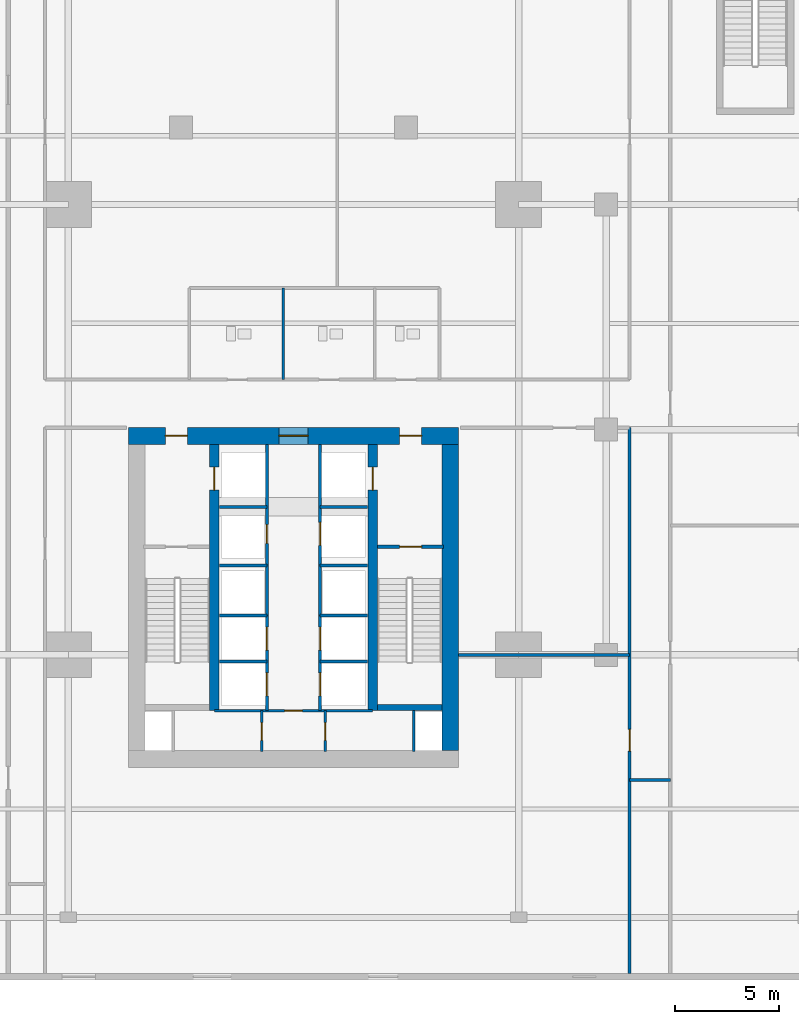
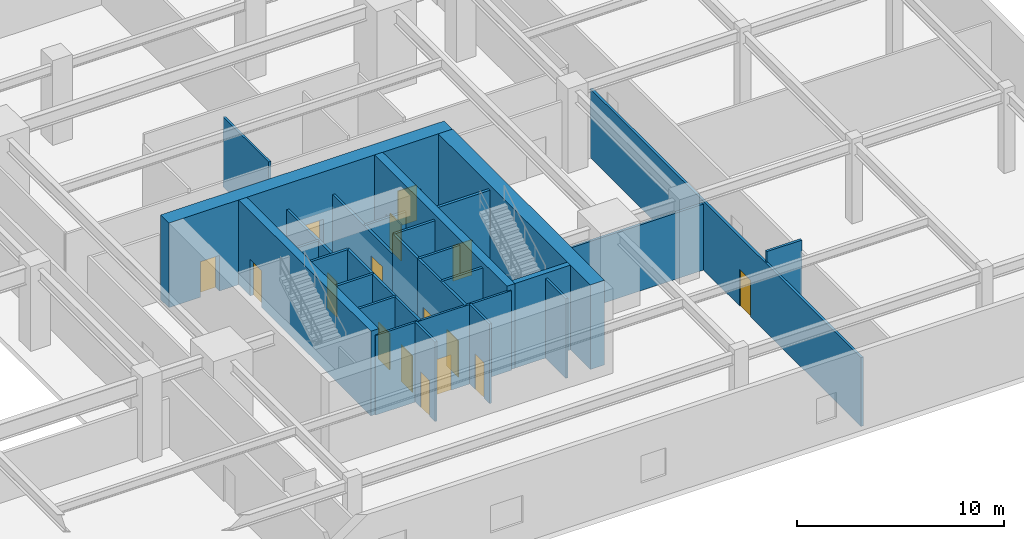
# One storey, part 3 of 9: 28 walls, 16 doors, 16 openings.
"""IFC4 building model written with IfcOpenShell, lengths in metres."""

from ifc_helpers import new_model, si_unit, direction, frame, frame_2d, origin, place, context, subcontext, project, spatial, rectangle, extrude, material, layer, layer_set, type_object, element, fill, save


model = new_model("IFC4")

# Units and contexts
model_context = context("Model", 3, precision=1e-05, world=origin(), true_north=direction((0.0, 1.0)))
body_context = subcontext(model_context, "Body", "Model", "MODEL_VIEW")
ifc_project = project(units=[si_unit("LENGTHUNIT", "METRE"), si_unit("AREAUNIT", "SQUARE_METRE"), si_unit("VOLUMEUNIT", "CUBIC_METRE"), si_unit("PLANEANGLEUNIT", "RADIAN"), si_unit("MASSUNIT", "GRAM", prefix="KILO")], contexts=[model_context])

# Site, building, storey
site_placement = place(None, origin())
site = spatial("IfcSite", under=ifc_project, at=site_placement, CompositionType="ELEMENT")
building_placement = place(site_placement, origin())
building = spatial("IfcBuilding", under=site, at=building_placement, Name="Krantzveldt Concourse Tower", CompositionType="ELEMENT")
storey_placement = place(building_placement, frame((0.0, 0.0, 10.39990234375)))
storey = spatial("IfcBuildingStorey", under=building, at=storey_placement, Name="L02", CompositionType="ELEMENT", Elevation=10.39990234375)

# Wall, opening, door
ifc_material_1 = material(Name="Fire-rated gypsum plasterboard on steel stud", Category="steel")
ifc_layer_1 = layer(ifc_material_1, 0.1201171875, Name="Fire-rated gypsum plasterboard on steel stud", Category="steel")
ifc_layer_set_1 = layer_set([ifc_layer_1], Name="Fire-rated gypsum plasterboard on steel stud (WL-PART-120)")
wall_type_1 = type_object("IfcWallType", Name="WL-PART-120", PredefinedType="PARTITIONING", material=ifc_layer_set_1)
wall_1_placement = place(storey_placement, frame((32.2099609375, 13.219970703125, 0.0), z_axis=(0.0, 0.0, 1.0), x_axis=(1.0, 0.0, 0.0)))
wall_1 = element("IfcWall", 1, at=wall_1_placement, inside=storey, type_object=wall_type_1, Name="WP-L02-CS2H", PredefinedType="PARTITIONING", context=body_context, shape_type="SweptSolid", body=[
    extrude(rectangle(XDim=7.580078125, YDim=0.1201171875, at=frame_2d((3.7900390625, 0.0))), origin(), (0.0, 0.0, 1.0), 4.7001953125),
])
opening_1_placement = place(wall_1_placement, frame((3.364990234375, 0.0, 0.0)))
opening_1 = element("IfcOpeningElement", 2, at=opening_1_placement, cuts=wall_1, Name="Opening D-IN085", PredefinedType="OPENING", context=body_context, shape_type="SweptSolid", body=[
    extrude(rectangle(XDim=0.85009765625, YDim=2.10009765625, at=frame_2d((0.425048828125, 1.050048828125))), frame((0.0, 0.070068359375, 0.0), z_axis=(0.0, -1.0, 0.0), x_axis=(1.0, 0.0, 0.0)), (0.0, 0.0, 1.0), 0.14013671875),
])
ifc_material_2 = material(Name="Hardwood timber", Category="wood")
door_type_1 = type_object("IfcDoorType", Name="DR-INT-850", OperationType="SINGLE_SWING_LEFT", PredefinedType="DOOR", material=ifc_material_2)
door_1_placement = place(opening_1_placement, origin())
door_1 = element("IfcDoor", 3, at=door_1_placement, inside=storey, type_object=door_type_1, Name="DR-L02-LLBS", OperationType="SINGLE_SWING_RIGHT", OverallHeight=2.10009765625, OverallWidth=0.85009765625, PredefinedType="DOOR", context=body_context, shape_type="SweptSolid", body=[
    extrude(rectangle(XDim=0.85009765625, YDim=2.10009765625, at=frame_2d((0.425048828125, 1.050048828125))), frame((0.0, 0.02490234375, 0.0), z_axis=(0.0, -1.0, 0.0), x_axis=(1.0, 0.0, 0.0)), (0.0, 0.0, 1.0), 0.050048828125),
])
fill(opening_1, door_1)

wall_2_placement = place(storey_placement, frame((34.47998046875, 11.25, 0.0), z_axis=(0.0, 0.0, 1.0), x_axis=(0.0, 1.0, 0.0)))
wall_2 = element("IfcWall", 4, at=wall_2_placement, inside=storey, type_object=wall_type_1, Name="WP-L02-CSB-VL", PredefinedType="PARTITIONING", context=body_context, shape_type="SweptSolid", body=[
    extrude(rectangle(XDim=1.969970703125, YDim=0.1201171875, at=frame_2d((0.98486328125, 0.0))), origin(), (0.0, 0.0, 1.0), 4.7001953125),
])
opening_2_placement = place(wall_2_placement, frame((0.544921875, 0.0, 0.0)))
opening_2 = element("IfcOpeningElement", 5, at=opening_2_placement, cuts=wall_2, Name="Opening D-IN085", PredefinedType="OPENING", context=body_context, shape_type="SweptSolid", body=[
    extrude(rectangle(XDim=0.85009765625, YDim=2.10009765625, at=frame_2d((0.425048828125, 1.050048828125))), frame((0.0, 0.070068359375, 0.0), z_axis=(0.0, -1.0, 0.0), x_axis=(1.0, 0.0, 0.0)), (0.0, 0.0, 1.0), 0.14013671875),
])
door_2_placement = place(opening_2_placement, origin())
door_2 = element("IfcDoor", 6, at=door_2_placement, inside=storey, type_object=door_type_1, Name="DR-L02-CSB1", OperationType="SINGLE_SWING_LEFT", OverallHeight=2.10009765625, OverallWidth=0.85009765625, PredefinedType="DOOR", context=body_context, shape_type="SweptSolid", body=[
    extrude(rectangle(XDim=0.85009765625, YDim=2.10009765625, at=frame_2d((0.425048828125, 1.050048828125))), frame((0.0, 0.02490234375, 0.0), z_axis=(0.0, -1.0, 0.0), x_axis=(1.0, 0.0, 0.0)), (0.0, 0.0, 1.0), 0.050048828125),
])
fill(opening_2, door_2)

wall_3_placement = place(storey_placement, frame((37.52001953125, 11.25, 0.0), z_axis=(0.0, 0.0, 1.0), x_axis=(0.0, 1.0, 0.0)))
wall_3 = element("IfcWall", 7, at=wall_3_placement, inside=storey, type_object=wall_type_1, Name="WP-L02-CSB-VR", PredefinedType="PARTITIONING", context=body_context, shape_type="SweptSolid", body=[
    extrude(rectangle(XDim=1.969970703125, YDim=0.1201171875, at=frame_2d((0.98486328125, 0.0))), origin(), (0.0, 0.0, 1.0), 4.7001953125),
])
opening_3_placement = place(wall_3_placement, frame((0.544921875, 0.0, 0.0)))
opening_3 = element("IfcOpeningElement", 8, at=opening_3_placement, cuts=wall_3, Name="Opening D-IN085", PredefinedType="OPENING", context=body_context, shape_type="SweptSolid", body=[
    extrude(rectangle(XDim=0.85009765625, YDim=2.10009765625, at=frame_2d((0.425048828125, 1.050048828125))), frame((0.0, 0.070068359375, 0.0), z_axis=(0.0, -1.0, 0.0), x_axis=(1.0, 0.0, 0.0)), (0.0, 0.0, 1.0), 0.14013671875),
])
door_3_placement = place(opening_3_placement, origin())
door_3 = element("IfcDoor", 9, at=door_3_placement, inside=storey, type_object=door_type_1, Name="DR-L02-CSB2", OperationType="SINGLE_SWING_RIGHT", OverallHeight=2.10009765625, OverallWidth=0.85009765625, PredefinedType="DOOR", context=body_context, shape_type="SweptSolid", body=[
    extrude(rectangle(XDim=0.85009765625, YDim=2.10009765625, at=frame_2d((0.425048828125, 1.050048828125))), frame((0.0, 0.02490234375, 0.0), z_axis=(0.0, -1.0, 0.0), x_axis=(1.0, 0.0, 0.0)), (0.0, 0.0, 1.0), 0.050048828125),
])
fill(opening_3, door_3)

# Wall
wall_4_placement = place(storey_placement, frame((35.5, 29.10009765625, 0.0), z_axis=(0.0, 0.0, 1.0), x_axis=(0.0, 1.0, 0.0)))
element("IfcWall", 10, at=wall_4_placement, inside=storey, type_object=wall_type_1, Name="WP-L02-WCD1", PredefinedType="PARTITIONING", context=body_context, shape_type="SweptSolid", body=[
    extrude(rectangle(XDim=4.39990234375, YDim=0.1201171875, at=frame_2d((2.199951171875, 0.0))), origin(), (0.0, 0.0, 1.0), 4.150146484375),
])

# Wall, opening, door
ifc_layer_2 = layer(ifc_material_1, 0.139892578125, Name="Fire-rated gypsum plasterboard on steel stud", Category="steel")
ifc_layer_set_2 = layer_set([ifc_layer_2], Name="Fire-rated gypsum plasterboard on steel stud (WL-PART-140)")
wall_type_2 = type_object("IfcWallType", Name="WL-PART-140", PredefinedType="PARTITIONING", material=ifc_layer_set_2)
wall_5_placement = place(storey_placement, frame((52.1201171875, 0.60498046875, 0.0), z_axis=(0.0, 0.0, 1.0), x_axis=(0.0, 1.0, 0.0)))
wall_5 = element("IfcWall", 11, at=wall_5_placement, inside=storey, type_object=wall_type_2, Name="WP-L02-SEL", PredefinedType="PARTITIONING", context=body_context, shape_type="SweptSolid", body=[
    extrude(rectangle(XDim=26.195068359375, YDim=0.139892578125, at=frame_2d((13.09765625, 0.0))), origin(), (0.0, 0.0, 1.0), 4.06005859375),
])
opening_4_placement = place(wall_5_placement, frame((10.669921875, 0.0, 0.0)))
opening_4 = element("IfcOpeningElement", 12, at=opening_4_placement, cuts=wall_5, Name="Opening D-IN105", PredefinedType="OPENING", context=body_context, shape_type="SweptSolid", body=[
    extrude(rectangle(XDim=1.050048828125, YDim=2.14990234375, at=frame_2d((0.52490234375, 1.074951171875))), frame((0.0, 0.080078125, 0.0), z_axis=(0.0, -1.0, 0.0), x_axis=(1.0, 0.0, 0.0)), (0.0, 0.0, 1.0), 0.159912109375),
])
door_type_2 = type_object("IfcDoorType", Name="DR-INT-1050", OperationType="SINGLE_SWING_LEFT", PredefinedType="DOOR", material=ifc_material_2)
door_4_placement = place(opening_4_placement, origin())
door_4 = element("IfcDoor", 13, at=door_4_placement, inside=storey, type_object=door_type_2, Name="DR-L02-TR1", OperationType="SINGLE_SWING_LEFT", OverallHeight=2.14990234375, OverallWidth=1.050048828125, PredefinedType="DOOR", context=body_context, shape_type="SweptSolid", body=[
    extrude(rectangle(XDim=1.050048828125, YDim=2.14990234375, at=frame_2d((0.52490234375, 1.074951171875))), frame((0.0, 0.02490234375, 0.0), z_axis=(0.0, -1.0, 0.0), x_axis=(1.0, 0.0, 0.0)), (0.0, 0.0, 1.0), 0.050048828125),
])
fill(opening_4, door_4)

# Walls
wall_6_placement = place(storey_placement, frame((52.1201171875, 9.89990234375, 0.0), z_axis=(0.0, 0.0, 1.0), x_axis=(1.0, 0.0, 0.0)))
element("IfcWall", 14, at=wall_6_placement, inside=storey, type_object=wall_type_2, Name="WP-L02-SEB", PredefinedType="PARTITIONING", context=body_context, shape_type="SweptSolid", body=[
    extrude(rectangle(XDim=1.9599609375, YDim=0.139892578125, at=frame_2d((0.97998046875, 0.0))), origin(), (0.0, 0.0, 1.0), 4.7001953125),
])
wall_7_placement = place(storey_placement, frame((43.919921875, 15.89990234375, 0.0), z_axis=(0.0, 0.0, 1.0), x_axis=(1.0, 0.0, 0.0)))
element("IfcWall", 15, at=wall_7_placement, inside=storey, type_object=wall_type_2, Name="WP-L02-TRD1", PredefinedType="PARTITIONING", context=body_context, shape_type="SweptSolid", body=[
    extrude(rectangle(XDim=8.2001953125, YDim=0.139892578125, at=frame_2d((4.10009765625, 0.0))), origin(), (0.0, 0.0, 1.0), 3.900146484375),
])

# Wall, opening, door
ifc_layer_3 = layer(ifc_material_1, 0.139892578125, Name="Fire-rated gypsum plasterboard on steel stud", Category="steel")
ifc_layer_set_3 = layer_set([ifc_layer_3], Name="Fire-rated gypsum plasterboard on steel stud (WL-PART-FR140)")
wall_type_3 = type_object("IfcWallType", Name="WL-PART-FR140", PredefinedType="PARTITIONING", material=ifc_layer_set_3)
wall_8_placement = place(storey_placement, frame((34.719970703125, 20.199951171875, 0.0), z_axis=(0.0, 0.0, 1.0), x_axis=(0.0, 1.0, 0.0)))
wall_8 = element("IfcWall", 16, at=wall_8_placement, inside=storey, type_object=wall_type_3, Name="WP-L02-SHNW", PredefinedType="PARTITIONING", context=body_context, shape_type="SweptSolid", body=[
    extrude(rectangle(XDim=5.780029296875, YDim=0.139892578125, at=frame_2d((2.89013671875, 0.0))), origin(), (0.0, 0.0, 1.0), 3.5),
])
opening_5_placement = place(wall_8_placement, frame((1.050048828125, 0.0, 0.0)))
opening_5 = element("IfcOpeningElement", 17, at=opening_5_placement, cuts=wall_8, Name="Opening D-FD090", PredefinedType="OPENING", context=body_context, shape_type="SweptSolid", body=[
    extrude(rectangle(XDim=0.89990234375, YDim=2.10009765625, at=frame_2d((0.449951171875, 1.050048828125))), frame((0.0, 0.080078125, 0.0), z_axis=(0.0, -1.0, 0.0), x_axis=(1.0, 0.0, 0.0)), (0.0, 0.0, 1.0), 0.159912109375),
])
door_type_3 = type_object("IfcDoorType", Name="DR-FD60-900", OperationType="SINGLE_SWING_LEFT", PredefinedType="DOOR", material=ifc_material_2)
door_5_placement = place(opening_5_placement, origin())
door_5 = element("IfcDoor", 18, at=door_5_placement, inside=storey, type_object=door_type_3, Name="Electrical Riser Access Door L02", OperationType="SINGLE_SWING_LEFT", OverallHeight=2.10009765625, OverallWidth=0.89990234375, PredefinedType="DOOR", context=body_context, shape_type="SweptSolid", body=[
    extrude(rectangle(XDim=0.89990234375, YDim=2.10009765625, at=frame_2d((0.449951171875, 1.050048828125))), frame((0.0, 0.02490234375, 0.0), z_axis=(0.0, -1.0, 0.0), x_axis=(1.0, 0.0, 0.0)), (0.0, 0.0, 1.0), 0.050048828125),
])
fill(opening_5, door_5)

wall_9_placement = place(storey_placement, frame((37.280029296875, 20.199951171875, 0.0), z_axis=(0.0, 0.0, 1.0), x_axis=(0.0, 1.0, 0.0)))
wall_9 = element("IfcWall", 19, at=wall_9_placement, inside=storey, type_object=wall_type_3, Name="WP-L02-SHNE", PredefinedType="PARTITIONING", context=body_context, shape_type="SweptSolid", body=[
    extrude(rectangle(XDim=5.780029296875, YDim=0.139892578125, at=frame_2d((2.89013671875, 0.0))), origin(), (0.0, 0.0, 1.0), 3.5),
])
opening_6_placement = place(wall_9_placement, frame((0.949951171875, 0.0, 0.0)))
opening_6 = element("IfcOpeningElement", 20, at=opening_6_placement, cuts=wall_9, Name="Opening LD", PredefinedType="OPENING", context=body_context, shape_type="SweptSolid", body=[
    extrude(rectangle(XDim=1.10009765625, YDim=2.14990234375, at=frame_2d((0.550048828125, 1.074951171875))), frame((0.0, 0.080078125, 0.0), z_axis=(0.0, -1.0, 0.0), x_axis=(1.0, 0.0, 0.0)), (0.0, 0.0, 1.0), 0.159912109375),
])
ifc_material_3 = material(Name="Stainless steel 316L", Category="steel")
door_type_4 = type_object("IfcDoorType", Name="DR-SLIDE-LD1100", OperationType="DOUBLE_DOOR_SLIDING", PredefinedType="DOOR", material=ifc_material_3)
door_6_placement = place(opening_6_placement, origin())
door_6 = element("IfcDoor", 21, at=door_6_placement, inside=storey, type_object=door_type_4, Name="LD-L02-GL1", OperationType="DOUBLE_DOOR_SLIDING", OverallHeight=2.14990234375, OverallWidth=1.10009765625, PredefinedType="DOOR", context=body_context, shape_type="SweptSolid", body=[
    extrude(rectangle(XDim=1.10009765625, YDim=2.14990234375, at=frame_2d((0.550048828125, 1.074951171875))), frame((0.0, 0.02490234375, 0.0), z_axis=(0.0, -1.0, 0.0), x_axis=(1.0, 0.0, 0.0)), (0.0, 0.0, 1.0), 0.050048828125),
])
fill(opening_6, door_6)

# Walls
for number, where, z_axis, x_axis, name in (
    (22, (32.449951171875, 23.0, 0.0), (0.0, 0.0, 1.0), (1.0, 0.0, 0.0), "WP-L02-RISH"),
    (23, (37.280029296875, 23.0, 0.0), (0.0, 0.0, 1.0), (1.0, 0.0, 0.0), "WP-L02-GLH"),
):
    element("IfcWall", number, at=place(storey_placement, frame(where, z_axis=z_axis, x_axis=x_axis)), inside=storey, type_object=wall_type_3, Name=name, PredefinedType="PARTITIONING", context=body_context, shape_type="SweptSolid", body=[
        extrude(rectangle(XDim=2.27001953125, YDim=0.139892578125, at=frame_2d((1.135009765625, 0.0))), origin(), (0.0, 0.0, 1.0), 3.5),
    ])
for number, where, z_axis, x_axis, name in (
    (24, (34.719970703125, 17.780029296875, 0.0), (0.0, 0.0, 1.0), (0.0, 1.0, 0.0), "WP-L02-SHNW2"),
    (25, (37.280029296875, 17.780029296875, 0.0), (0.0, 0.0, 1.0), (0.0, 1.0, 0.0), "WP-L02-SHNE2"),
):
    element("IfcWall", number, at=place(storey_placement, frame(where, z_axis=z_axis, x_axis=x_axis)), inside=storey, type_object=wall_type_3, Name=name, PredefinedType="PARTITIONING", context=body_context, shape_type="SweptSolid", body=[
        extrude(rectangle(XDim=2.419921875, YDim=0.139892578125, at=frame_2d((1.2099609375, 0.0))), origin(), (0.0, 0.0, 1.0), 4.7001953125),
    ])
for number, where, z_axis, x_axis, name in (
    (26, (32.449951171875, 17.780029296875, 0.0), (0.0, 0.0, 1.0), (1.0, 0.0, 0.0), "WP-L02-DIVW2"),
    (27, (32.449951171875, 20.179931640625, 0.0), (0.0, 0.0, 1.0), (1.0, 0.0, 0.0), "WP-L02-DIVW3"),
    (28, (37.280029296875, 17.780029296875, 0.0), (0.0, 0.0, 1.0), (1.0, 0.0, 0.0), "WP-L02-DIVE2"),
    (29, (37.280029296875, 20.179931640625, 0.0), (0.0, 0.0, 1.0), (1.0, 0.0, 0.0), "WP-L02-DIVE3"),
):
    element("IfcWall", number, at=place(storey_placement, frame(where, z_axis=z_axis, x_axis=x_axis)), inside=storey, type_object=wall_type_3, Name=name, PredefinedType="PARTITIONING", context=body_context, shape_type="SweptSolid", body=[
        extrude(rectangle(XDim=2.27001953125, YDim=0.139892578125, at=frame_2d((1.135009765625, 0.0))), origin(), (0.0, 0.0, 1.0), 4.7001953125),
    ])

# Wall, openings, doors
wall_10_placement = place(storey_placement, frame((34.719970703125, 13.219970703125, 0.0), z_axis=(0.0, 0.0, 1.0), x_axis=(0.0, 1.0, 0.0)))
wall_10 = element("IfcWall", 30, at=wall_10_placement, inside=storey, type_object=wall_type_3, Name="WP-L02-SHSW", PredefinedType="PARTITIONING", context=body_context, shape_type="SweptSolid", body=[
    extrude(rectangle(XDim=4.56005859375, YDim=0.139892578125, at=frame_2d((2.280029296875, 0.0))), origin(), (0.0, 0.0, 1.0), 4.7001953125),
])
opening_7_placement = place(wall_10_placement, frame((0.7099609375, 0.0, 0.0)))
opening_7 = element("IfcOpeningElement", 31, at=opening_7_placement, cuts=wall_10, Name="Opening LD", PredefinedType="OPENING", context=body_context, shape_type="SweptSolid", body=[
    extrude(rectangle(XDim=1.10009765625, YDim=2.14990234375, at=frame_2d((0.550048828125, 1.074951171875))), frame((0.0, 0.080078125, 0.0), z_axis=(0.0, -1.0, 0.0), x_axis=(1.0, 0.0, 0.0)), (0.0, 0.0, 1.0), 0.159912109375),
])
opening_8_placement = place(wall_10_placement, frame((2.909912109375, 0.0, 0.0)))
opening_8 = element("IfcOpeningElement", 32, at=opening_8_placement, cuts=wall_10, Name="Opening LD", PredefinedType="OPENING", context=body_context, shape_type="SweptSolid", body=[
    extrude(rectangle(XDim=1.10009765625, YDim=2.14990234375, at=frame_2d((0.550048828125, 1.074951171875))), frame((0.0, 0.080078125, 0.0), z_axis=(0.0, -1.0, 0.0), x_axis=(1.0, 0.0, 0.0)), (0.0, 0.0, 1.0), 0.159912109375),
])
door_7_placement = place(opening_7_placement, origin())
door_7 = element("IfcDoor", 33, at=door_7_placement, inside=storey, type_object=door_type_4, Name="LD-L02-PL1", OperationType="DOUBLE_DOOR_SLIDING", OverallHeight=2.14990234375, OverallWidth=1.10009765625, PredefinedType="DOOR", context=body_context, shape_type="SweptSolid", body=[
    extrude(rectangle(XDim=1.10009765625, YDim=2.14990234375, at=frame_2d((0.550048828125, 1.074951171875))), frame((0.0, 0.02490234375, 0.0), z_axis=(0.0, -1.0, 0.0), x_axis=(1.0, 0.0, 0.0)), (0.0, 0.0, 1.0), 0.050048828125),
])
fill(opening_7, door_7)
door_8_placement = place(opening_8_placement, origin())
door_8 = element("IfcDoor", 34, at=door_8_placement, inside=storey, type_object=door_type_4, Name="LD-L02-PL2", OperationType="DOUBLE_DOOR_SLIDING", OverallHeight=2.14990234375, OverallWidth=1.10009765625, PredefinedType="DOOR", context=body_context, shape_type="SweptSolid", body=[
    extrude(rectangle(XDim=1.10009765625, YDim=2.14990234375, at=frame_2d((0.550048828125, 1.074951171875))), frame((0.0, 0.02490234375, 0.0), z_axis=(0.0, -1.0, 0.0), x_axis=(1.0, 0.0, 0.0)), (0.0, 0.0, 1.0), 0.050048828125),
])
fill(opening_8, door_8)

# Wall
wall_11_placement = place(storey_placement, frame((32.449951171875, 15.580078125, 0.0), z_axis=(0.0, 0.0, 1.0), x_axis=(1.0, 0.0, 0.0)))
element("IfcWall", 35, at=wall_11_placement, inside=storey, type_object=wall_type_3, Name="WP-L02-DIVW1", PredefinedType="PARTITIONING", context=body_context, shape_type="SweptSolid", body=[
    extrude(rectangle(XDim=2.27001953125, YDim=0.139892578125, at=frame_2d((1.135009765625, 0.0))), origin(), (0.0, 0.0, 1.0), 4.7001953125),
])

# Wall, openings, doors
wall_12_placement = place(storey_placement, frame((37.280029296875, 13.219970703125, 0.0), z_axis=(0.0, 0.0, 1.0), x_axis=(0.0, 1.0, 0.0)))
wall_12 = element("IfcWall", 36, at=wall_12_placement, inside=storey, type_object=wall_type_3, Name="WP-L02-SHSE", PredefinedType="PARTITIONING", context=body_context, shape_type="SweptSolid", body=[
    extrude(rectangle(XDim=4.56005859375, YDim=0.139892578125, at=frame_2d((2.280029296875, 0.0))), origin(), (0.0, 0.0, 1.0), 4.7001953125),
])
opening_9_placement = place(wall_12_placement, frame((0.7099609375, 0.0, 0.0)))
opening_9 = element("IfcOpeningElement", 37, at=opening_9_placement, cuts=wall_12, Name="Opening LD", PredefinedType="OPENING", context=body_context, shape_type="SweptSolid", body=[
    extrude(rectangle(XDim=1.10009765625, YDim=2.14990234375, at=frame_2d((0.550048828125, 1.074951171875))), frame((0.0, 0.080078125, 0.0), z_axis=(0.0, -1.0, 0.0), x_axis=(1.0, 0.0, 0.0)), (0.0, 0.0, 1.0), 0.159912109375),
])
opening_10_placement = place(wall_12_placement, frame((2.909912109375, 0.0, 0.0)))
opening_10 = element("IfcOpeningElement", 38, at=opening_10_placement, cuts=wall_12, Name="Opening LD", PredefinedType="OPENING", context=body_context, shape_type="SweptSolid", body=[
    extrude(rectangle(XDim=1.10009765625, YDim=2.14990234375, at=frame_2d((0.550048828125, 1.074951171875))), frame((0.0, 0.080078125, 0.0), z_axis=(0.0, -1.0, 0.0), x_axis=(1.0, 0.0, 0.0)), (0.0, 0.0, 1.0), 0.159912109375),
])
door_9_placement = place(opening_9_placement, origin())
door_9 = element("IfcDoor", 39, at=door_9_placement, inside=storey, type_object=door_type_4, Name="LD-L02-PM1", OperationType="DOUBLE_DOOR_SLIDING", OverallHeight=2.14990234375, OverallWidth=1.10009765625, PredefinedType="DOOR", context=body_context, shape_type="SweptSolid", body=[
    extrude(rectangle(XDim=1.10009765625, YDim=2.14990234375, at=frame_2d((0.550048828125, 1.074951171875))), frame((0.0, 0.02490234375, 0.0), z_axis=(0.0, -1.0, 0.0), x_axis=(1.0, 0.0, 0.0)), (0.0, 0.0, 1.0), 0.050048828125),
])
fill(opening_9, door_9)
door_10_placement = place(opening_10_placement, origin())
door_10 = element("IfcDoor", 40, at=door_10_placement, inside=storey, type_object=door_type_4, Name="LD-L02-PM2", OperationType="DOUBLE_DOOR_SLIDING", OverallHeight=2.14990234375, OverallWidth=1.10009765625, PredefinedType="DOOR", context=body_context, shape_type="SweptSolid", body=[
    extrude(rectangle(XDim=1.10009765625, YDim=2.14990234375, at=frame_2d((0.550048828125, 1.074951171875))), frame((0.0, 0.02490234375, 0.0), z_axis=(0.0, -1.0, 0.0), x_axis=(1.0, 0.0, 0.0)), (0.0, 0.0, 1.0), 0.050048828125),
])
fill(opening_10, door_10)

# Walls
wall_13_placement = place(storey_placement, frame((37.280029296875, 15.580078125, 0.0), z_axis=(0.0, 0.0, 1.0), x_axis=(1.0, 0.0, 0.0)))
element("IfcWall", 41, at=wall_13_placement, inside=storey, type_object=wall_type_3, Name="WP-L02-DIVE1", PredefinedType="PARTITIONING", context=body_context, shape_type="SweptSolid", body=[
    extrude(rectangle(XDim=2.27001953125, YDim=0.139892578125, at=frame_2d((1.135009765625, 0.0))), origin(), (0.0, 0.0, 1.0), 4.7001953125),
])
wall_14_placement = place(storey_placement, frame((41.780029296875, 11.25, 0.0), z_axis=(0.0, 0.0, 1.0), x_axis=(0.0, 1.0, 0.0)))
element("IfcWall", 42, at=wall_14_placement, inside=storey, type_object=wall_type_3, Name="WP-L02-RSE", PredefinedType="PARTITIONING", context=body_context, shape_type="SweptSolid", body=[
    extrude(rectangle(XDim=1.969970703125, YDim=0.1201171875, at=frame_2d((0.98486328125, 0.0))), origin(), (0.0, 0.0, 1.0), 4.7001953125),
])

# Wall, opening, door
ifc_layer_4 = layer(ifc_material_1, 0.159912109375, Name="Fire-rated gypsum plasterboard on steel stud", Category="steel")
ifc_layer_set_4 = layer_set([ifc_layer_4], Name="Fire-rated gypsum plasterboard on steel stud (WL-PART-FR160)")
wall_type_4 = type_object("IfcWallType", Name="WL-PART-FR160", PredefinedType="PARTITIONING", material=ifc_layer_set_4)
wall_15_placement = place(storey_placement, frame((40.0400390625, 21.080078125, 0.0), z_axis=(0.0, 0.0, 1.0), x_axis=(1.0, 0.0, 0.0)))
wall_15 = element("IfcWall", 43, at=wall_15_placement, inside=storey, type_object=wall_type_4, Name="WP-L02-ST2", PredefinedType="PARTITIONING", context=body_context, shape_type="SweptSolid", body=[
    extrude(rectangle(XDim=3.159912109375, YDim=0.159912109375, at=frame_2d((1.580078125, 0.0))), origin(), (0.0, 0.0, 1.0), 4.7001953125),
])
opening_11_placement = place(wall_15_placement, frame((1.054931640625, 0.0, 0.0)))
opening_11 = element("IfcOpeningElement", 44, at=opening_11_placement, cuts=wall_15, Name="Opening D-FD105", PredefinedType="OPENING", context=body_context, shape_type="SweptSolid", body=[
    extrude(rectangle(XDim=1.050048828125, YDim=2.10009765625, at=frame_2d((0.52490234375, 1.050048828125))), frame((0.0, 0.08984375, 0.0), z_axis=(0.0, -1.0, 0.0), x_axis=(1.0, 0.0, 0.0)), (0.0, 0.0, 1.0), 0.179931640625),
])
ifc_material_4 = material(Name="Galvanised steel", Category="steel")
door_type_5 = type_object("IfcDoorType", Name="DR-FD120-1050", OperationType="SINGLE_SWING_LEFT", PredefinedType="DOOR", material=ifc_material_4)
door_11_placement = place(opening_11_placement, origin())
door_11 = element("IfcDoor", 45, at=door_11_placement, inside=storey, type_object=door_type_5, Name="DR-L02-ST2", OperationType="SINGLE_SWING_LEFT", OverallHeight=2.10009765625, OverallWidth=1.050048828125, PredefinedType="DOOR", context=body_context, shape_type="SweptSolid", body=[
    extrude(rectangle(XDim=1.050048828125, YDim=2.10009765625, at=frame_2d((0.52490234375, 1.050048828125))), frame((0.0, 0.02490234375, 0.0), z_axis=(0.0, -1.0, 0.0), x_axis=(1.0, 0.0, 0.0)), (0.0, 0.0, 1.0), 0.050048828125),
])
fill(opening_11, door_11)

# Wall
ifc_material_5 = material(Name="Concrete C50/60", Category="concrete")
ifc_layer_5 = layer(ifc_material_5, 0.300048828125, Name="Concrete C50/60", Category="concrete")
ifc_layer_set_5 = layer_set([ifc_layer_5], Name="Concrete C50/60 (WL-SHEAR-300)")
wall_type_5 = type_object("IfcWallType", Name="WL-SHEAR-300", PredefinedType="SHEAR", material=ifc_layer_set_5)
wall_16_placement = place(storey_placement, frame((40.02001953125, 13.3701171875, 0.0), z_axis=(0.0, 0.0, 1.0), x_axis=(1.0, 0.0, 0.0)))
element("IfcWall", 46, at=wall_16_placement, inside=storey, type_object=wall_type_5, Name="CW-L02-ST2S", PredefinedType="SHEAR", context=body_context, shape_type="SweptSolid", body=[
    extrude(rectangle(XDim=3.10009765625, YDim=0.300048828125, at=frame_2d((1.550048828125, 0.0))), origin(), (0.0, 0.0, 1.0), 5.0),
])

# Wall, opening, door
ifc_layer_6 = layer(ifc_material_5, 0.449951171875, Name="Concrete C50/60", Category="concrete")
ifc_layer_set_6 = layer_set([ifc_layer_6], Name="Concrete C50/60 (WL-SHEAR-450)")
wall_type_6 = type_object("IfcWallType", Name="WL-SHEAR-450", PredefinedType="SHEAR", material=ifc_layer_set_6)
wall_17_placement = place(storey_placement, frame((32.205078125, 13.219970703125, 0.0), z_axis=(0.0, 0.0, 1.0), x_axis=(0.0, 1.0, 0.0)))
wall_17 = element("IfcWall", 47, at=wall_17_placement, inside=storey, type_object=wall_type_6, Name="CW-L02-IW", PredefinedType="SHEAR", context=body_context, shape_type="SweptSolid", body=[
    extrude(rectangle(XDim=12.780029296875, YDim=0.449951171875, at=frame_2d((6.39013671875, 0.0))), origin(), (0.0, 0.0, 1.0), 5.0),
])
opening_12_placement = place(wall_17_placement, frame((10.580078125, 0.0, 0.0)))
opening_12 = element("IfcOpeningElement", 48, at=opening_12_placement, cuts=wall_17, Name="Opening LD", PredefinedType="OPENING", context=body_context, shape_type="SweptSolid", body=[
    extrude(rectangle(XDim=1.10009765625, YDim=2.14990234375, at=frame_2d((0.550048828125, 1.074951171875))), frame((0.0, 0.23486328125, 0.0), z_axis=(0.0, -1.0, 0.0), x_axis=(1.0, 0.0, 0.0)), (0.0, 0.0, 1.0), 0.469970703125),
])
door_12_placement = place(opening_12_placement, origin())
door_12 = element("IfcDoor", 49, at=door_12_placement, inside=storey, type_object=door_type_4, Name="LD-L02-FL1", OperationType="DOUBLE_DOOR_SLIDING", OverallHeight=2.14990234375, OverallWidth=1.10009765625, PredefinedType="DOOR", context=body_context, shape_type="SweptSolid", body=[
    extrude(rectangle(XDim=1.10009765625, YDim=2.14990234375, at=frame_2d((0.550048828125, 1.074951171875))), frame((0.0, 0.02490234375, 0.0), z_axis=(0.0, -1.0, 0.0), x_axis=(1.0, 0.0, 0.0)), (0.0, 0.0, 1.0), 0.050048828125),
])
fill(opening_12, door_12)

wall_18_placement = place(storey_placement, frame((39.794921875, 13.219970703125, 0.0), z_axis=(0.0, 0.0, 1.0), x_axis=(0.0, 1.0, 0.0)))
wall_18 = element("IfcWall", 50, at=wall_18_placement, inside=storey, type_object=wall_type_6, Name="CW-L02-IE", PredefinedType="SHEAR", context=body_context, shape_type="SweptSolid", body=[
    extrude(rectangle(XDim=12.780029296875, YDim=0.449951171875, at=frame_2d((6.39013671875, 0.0))), origin(), (0.0, 0.0, 1.0), 5.0),
])
opening_13_placement = place(wall_18_placement, frame((10.580078125, 0.0, 0.0)))
opening_13 = element("IfcOpeningElement", 51, at=opening_13_placement, cuts=wall_18, Name="Opening LD", PredefinedType="OPENING", context=body_context, shape_type="SweptSolid", body=[
    extrude(rectangle(XDim=1.10009765625, YDim=2.14990234375, at=frame_2d((0.550048828125, 1.074951171875))), frame((0.0, 0.23486328125, 0.0), z_axis=(0.0, -1.0, 0.0), x_axis=(1.0, 0.0, 0.0)), (0.0, 0.0, 1.0), 0.469970703125),
])
door_13_placement = place(opening_13_placement, origin())
door_13 = element("IfcDoor", 52, at=door_13_placement, inside=storey, type_object=door_type_4, Name="LD-L02-FL2", OperationType="DOUBLE_DOOR_SLIDING", OverallHeight=2.14990234375, OverallWidth=1.10009765625, PredefinedType="DOOR", context=body_context, shape_type="SweptSolid", body=[
    extrude(rectangle(XDim=1.10009765625, YDim=2.14990234375, at=frame_2d((0.550048828125, 1.074951171875))), frame((0.0, 0.02490234375, 0.0), z_axis=(0.0, -1.0, 0.0), x_axis=(1.0, 0.0, 0.0)), (0.0, 0.0, 1.0), 0.050048828125),
])
fill(opening_13, door_13)

# Wall, openings, doors
ifc_material_6 = material(Name="Concrete C60/75", Category="concrete")
ifc_layer_7 = layer(ifc_material_6, 0.800048828125, Name="Concrete C60/75", Category="concrete")
ifc_layer_set_7 = layer_set([ifc_layer_7], Name="Concrete C60/75 (WL-SHEAR-800)")
wall_type_7 = type_object("IfcWallType", Name="WL-SHEAR-800", PredefinedType="SHEAR", material=ifc_layer_set_7)
wall_19_placement = place(storey_placement, frame((28.080078125, 26.39990234375, 0.0), z_axis=(0.0, 0.0, 1.0), x_axis=(1.0, 0.0, 0.0)))
wall_19 = element("IfcWall", 53, at=wall_19_placement, inside=storey, type_object=wall_type_7, Name="CW-L02-N", PredefinedType="SHEAR", context=body_context, shape_type="SweptSolid", body=[
    extrude(rectangle(XDim=15.83984375, YDim=0.800048828125, at=frame_2d((7.919921875, 0.0))), origin(), (0.0, 0.0, 1.0), 5.0),
])
opening_14_placement = place(wall_19_placement, frame((7.219970703125, 0.0, 0.0)))
opening_14 = element("IfcOpeningElement", 54, at=opening_14_placement, cuts=wall_19, Name="Opening D-DB140", PredefinedType="OPENING", context=body_context, shape_type="SweptSolid", body=[
    extrude(rectangle(XDim=1.39990234375, YDim=2.199951171875, at=frame_2d((0.699951171875, 1.10009765625))), frame((0.0, 0.41015625, 0.0), z_axis=(0.0, -1.0, 0.0), x_axis=(1.0, 0.0, 0.0)), (0.0, 0.0, 1.0), 0.820068359375),
])
opening_15_placement = place(wall_19_placement, frame((1.77490234375, 0.0, 0.0)))
opening_15 = element("IfcOpeningElement", 55, at=opening_15_placement, cuts=wall_19, Name="Opening D-FD105", PredefinedType="OPENING", context=body_context, shape_type="SweptSolid", body=[
    extrude(rectangle(XDim=1.050048828125, YDim=2.10009765625, at=frame_2d((0.52490234375, 1.050048828125))), frame((0.0, 0.41015625, 0.0), z_axis=(0.0, -1.0, 0.0), x_axis=(1.0, 0.0, 0.0)), (0.0, 0.0, 1.0), 0.820068359375),
])
opening_16_placement = place(wall_19_placement, frame((13.014892578125, 0.0, 0.0)))
opening_16 = element("IfcOpeningElement", 56, at=opening_16_placement, cuts=wall_19, Name="Opening D-FD105", PredefinedType="OPENING", context=body_context, shape_type="SweptSolid", body=[
    extrude(rectangle(XDim=1.050048828125, YDim=2.10009765625, at=frame_2d((0.52490234375, 1.050048828125))), frame((0.0, 0.41015625, 0.0), z_axis=(0.0, -1.0, 0.0), x_axis=(1.0, 0.0, 0.0)), (0.0, 0.0, 1.0), 0.820068359375),
])
ifc_material_7 = material(Name="Anodised aluminium 6063-T6", Category="aluminium")
door_type_6 = type_object("IfcDoorType", Name="DR-DBL-1400", OperationType="DOUBLE_DOOR_SINGLE_SWING", PredefinedType="DOOR", material=ifc_material_7)
door_14_placement = place(opening_14_placement, origin())
door_14 = element("IfcDoor", 57, at=door_14_placement, inside=storey, type_object=door_type_6, Name="DR-L02-LLB", OperationType="DOUBLE_DOOR_SINGLE_SWING", OverallHeight=2.199951171875, OverallWidth=1.39990234375, PredefinedType="DOOR", context=body_context, shape_type="SweptSolid", body=[
    extrude(rectangle(XDim=1.39990234375, YDim=2.199951171875, at=frame_2d((0.699951171875, 1.10009765625))), frame((0.0, 0.02490234375, 0.0), z_axis=(0.0, -1.0, 0.0), x_axis=(1.0, 0.0, 0.0)), (0.0, 0.0, 1.0), 0.050048828125),
])
fill(opening_14, door_14)
door_15_placement = place(opening_15_placement, origin())
door_15 = element("IfcDoor", 58, at=door_15_placement, inside=storey, type_object=door_type_5, Name="DR-L02-FFL1", OperationType="SINGLE_SWING_LEFT", OverallHeight=2.10009765625, OverallWidth=1.050048828125, PredefinedType="DOOR", context=body_context, shape_type="SweptSolid", body=[
    extrude(rectangle(XDim=1.050048828125, YDim=2.10009765625, at=frame_2d((0.52490234375, 1.050048828125))), frame((0.0, 0.02490234375, 0.0), z_axis=(0.0, -1.0, 0.0), x_axis=(1.0, 0.0, 0.0)), (0.0, 0.0, 1.0), 0.050048828125),
])
fill(opening_15, door_15)
door_16_placement = place(opening_16_placement, origin())
door_16 = element("IfcDoor", 59, at=door_16_placement, inside=storey, type_object=door_type_5, Name="DR-L02-FFL2", OperationType="SINGLE_SWING_RIGHT", OverallHeight=2.10009765625, OverallWidth=1.050048828125, PredefinedType="DOOR", context=body_context, shape_type="SweptSolid", body=[
    extrude(rectangle(XDim=1.050048828125, YDim=2.10009765625, at=frame_2d((0.52490234375, 1.050048828125))), frame((0.0, 0.02490234375, 0.0), z_axis=(0.0, -1.0, 0.0), x_axis=(1.0, 0.0, 0.0)), (0.0, 0.0, 1.0), 0.050048828125),
])
fill(opening_16, door_16)

# Wall
wall_20_placement = place(storey_placement, frame((43.52001953125, 11.300048828125, 0.0), z_axis=(0.0, 0.0, 1.0), x_axis=(0.0, 1.0, 0.0)))
element("IfcWall", 60, at=wall_20_placement, inside=storey, type_object=wall_type_7, Name="CW-L02-E", PredefinedType="SHEAR", context=body_context, shape_type="SweptSolid", body=[
    extrude(rectangle(XDim=14.699951171875, YDim=0.800048828125, at=frame_2d((7.35009765625, 0.0))), origin(), (0.0, 0.0, 1.0), 5.0),
])

save(model, "model.ifc")
